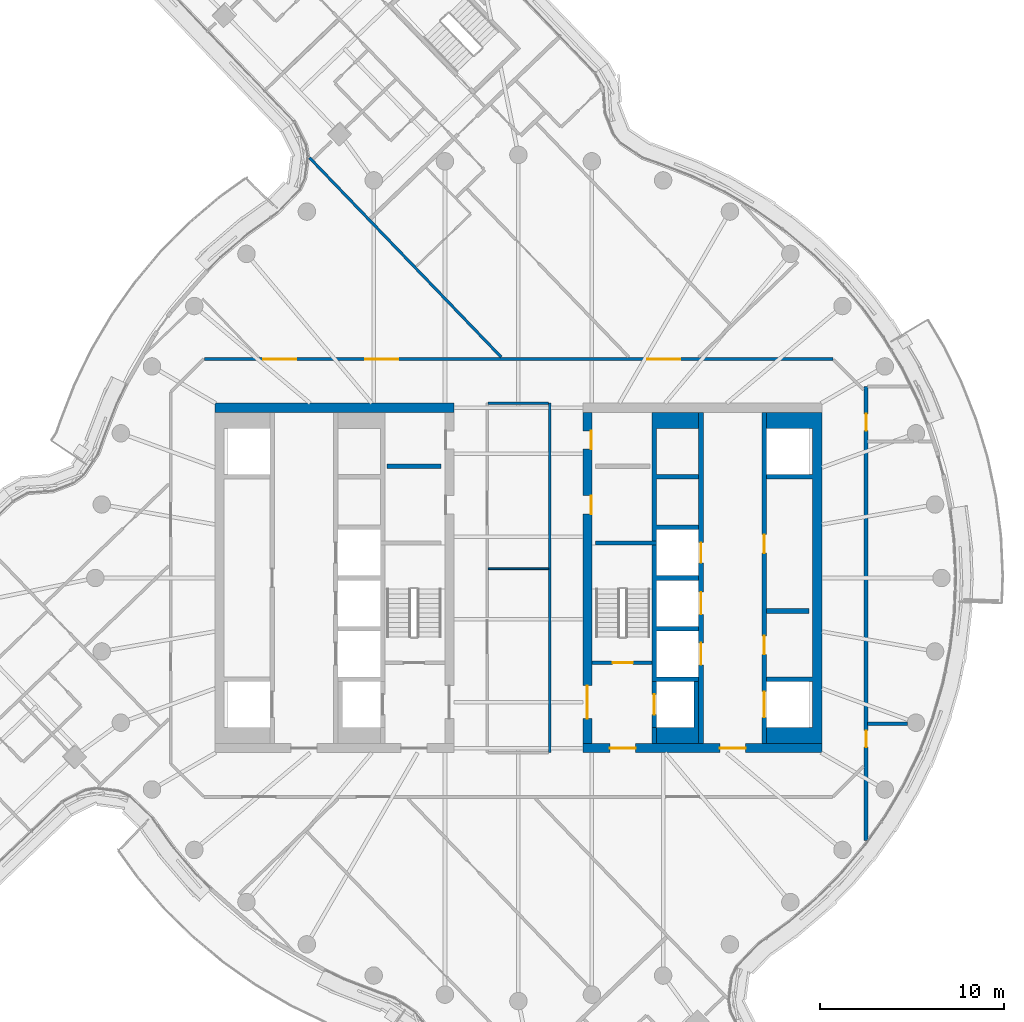
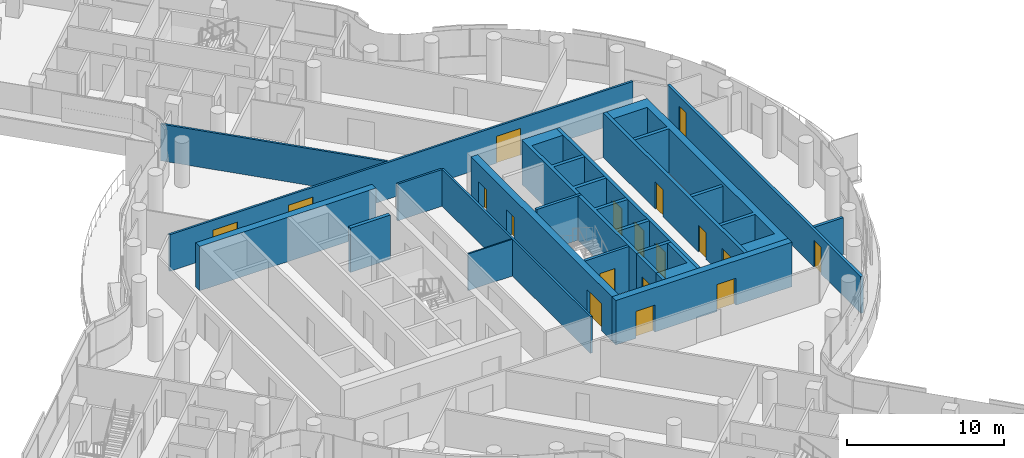
# One storey, part 23 of 34: 21 walls, 18 doors, 18 openings.
"""IFC4 building model written with IfcOpenShell, lengths in metres."""

from ifc_helpers import new_model, si_unit, direction, frame, frame_2d, origin, place, context, subcontext, project, spatial, polyline, rectangle, outline, extrude, material, layer, layer_set, type_object, element, fill, save


model = new_model("IFC4")

# Units and contexts
model_context = context("Model", 3, precision=1e-05, world=origin(), true_north=direction((0.0, 1.0)))
body_context = subcontext(model_context, "Body", "Model", "MODEL_VIEW")
ifc_project = project(units=[si_unit("LENGTHUNIT", "METRE"), si_unit("AREAUNIT", "SQUARE_METRE"), si_unit("VOLUMEUNIT", "CUBIC_METRE"), si_unit("PLANEANGLEUNIT", "RADIAN"), si_unit("MASSUNIT", "GRAM", prefix="KILO")], contexts=[model_context])

# Site, building, storey
site_placement = place(None, origin())
site = spatial("IfcSite", under=ifc_project, at=site_placement, CompositionType="ELEMENT")
building_placement = place(site_placement, origin())
building = spatial("IfcBuilding", under=site, at=building_placement, Name="Tamarind Cross Interchange Tower", CompositionType="ELEMENT")
storey_placement = place(building_placement, frame((0.0, 0.0, 193.300048828125)))
storey = spatial("IfcBuildingStorey", under=building, at=storey_placement, Name="L48", CompositionType="ELEMENT", Elevation=193.300048828125)

# Wall
ifc_material_1 = material(Name="Concrete C55", Category="concrete")
ifc_layer_1 = layer(ifc_material_1, 0.5)
ifc_layer_set_1 = layer_set([ifc_layer_1], Name="Concrete C55")
wall_type_1 = type_object("IfcWallType", Name="Core wall 500 mm Concrete C55", PredefinedType="SHEAR", material=ifc_layer_set_1)
wall_1_placement = place(storey_placement, frame((-16.5, 9.25, 0.0), z_axis=(0.0, 0.0, 1.0), x_axis=(1.0, 0.0, 0.0)))
element("IfcWall", 1, at=wall_1_placement, inside=storey, type_object=wall_type_1, Name="Core wall CWL-L48-W-NE", PredefinedType="SHEAR", context=body_context, shape_type="SweptSolid", body=[
    extrude(rectangle(XDim=13.0, YDim=0.5, at=frame_2d((6.5, 0.0))), origin(), (0.0, 0.0, 1.0), 3.4599609375),
])

# Wall, openings, doors
wall_2_placement = place(storey_placement, frame((16.5, -9.25, 0.0), z_axis=(0.0, 0.0, 1.0), x_axis=(-1.0, 0.0, 0.0)))
wall_2 = element("IfcWall", 2, at=wall_2_placement, inside=storey, type_object=wall_type_1, Name="Core wall CWL-L48-E-S", PredefinedType="SHEAR", context=body_context, shape_type="SweptSolid", body=[
    extrude(rectangle(XDim=13.0, YDim=0.5, at=frame_2d((6.5, 0.0))), origin(), (0.0, 0.0, 1.0), 3.4599609375),
])
opening_1_placement = place(wall_2_placement, frame((4.14990234375, 0.0, 0.0)))
opening_1 = element("IfcOpeningElement", 3, at=opening_1_placement, cuts=wall_2, Name="Opening DCE1", PredefinedType="OPENING", context=body_context, shape_type="SweptSolid", body=[
    extrude(rectangle(XDim=1.39990234375, YDim=2.10009765625, at=frame_2d((0.699951171875, 1.050048828125))), frame((0.0, 0.260009765625, 0.0), z_axis=(0.0, -1.0, 0.0), x_axis=(1.0, 0.0, 0.0)), (0.0, 0.0, 1.0), 0.52001953125),
])
opening_2_placement = place(wall_2_placement, frame((10.125, 0.0, 0.0)))
opening_2 = element("IfcOpeningElement", 4, at=opening_2_placement, cuts=wall_2, Name="Opening DCEF", PredefinedType="OPENING", context=body_context, shape_type="SweptSolid", body=[
    extrude(rectangle(XDim=1.39990234375, YDim=2.10009765625, at=frame_2d((0.699951171875, 1.050048828125))), frame((0.0, 0.260009765625, 0.0), z_axis=(0.0, -1.0, 0.0), x_axis=(1.0, 0.0, 0.0)), (0.0, 0.0, 1.0), 0.52001953125),
])
ifc_material_2 = material(Name="Steel, fire-resisting", Category="steel")
door_type_1 = type_object("IfcDoorType", Name="Core fire door 1400 x 2100 FD90", OperationType="SINGLE_SWING_LEFT", PredefinedType="DOOR", material=ifc_material_2)
door_1_placement = place(opening_1_placement, origin())
door_1 = element("IfcDoor", 5, at=door_1_placement, inside=storey, type_object=door_type_1, Name="L48 lift lobby door", OperationType="SINGLE_SWING_LEFT", OverallHeight=2.10009765625, OverallWidth=1.39990234375, PredefinedType="DOOR", context=body_context, shape_type="SweptSolid", body=[
    extrude(rectangle(XDim=1.39990234375, YDim=2.10009765625, at=frame_2d((0.699951171875, 1.050048828125))), frame((0.0, 0.02490234375, 0.0), z_axis=(0.0, -1.0, 0.0), x_axis=(1.0, 0.0, 0.0)), (0.0, 0.0, 1.0), 0.050048828125),
])
fill(opening_1, door_1)
door_2_placement = place(opening_2_placement, origin())
door_2 = element("IfcDoor", 6, at=door_2_placement, inside=storey, type_object=door_type_1, Name="L48 firefighting lobby end door", OperationType="SINGLE_SWING_LEFT", OverallHeight=2.10009765625, OverallWidth=1.39990234375, PredefinedType="DOOR", context=body_context, shape_type="SweptSolid", body=[
    extrude(rectangle(XDim=1.39990234375, YDim=2.10009765625, at=frame_2d((0.699951171875, 1.050048828125))), frame((0.0, 0.02490234375, 0.0), z_axis=(0.0, -1.0, 0.0), x_axis=(1.0, 0.0, 0.0)), (0.0, 0.0, 1.0), 0.050048828125),
])
fill(opening_2, door_2)

# Wall
wall_3_placement = place(storey_placement, origin())
element("IfcWall", 7, at=wall_3_placement, inside=storey, type_object=wall_type_1, Name="Core wall CWL-L48-E-A", PredefinedType="SHEAR", context=body_context, shape_type="SweptSolid", body=[
    extrude(outline(polyline([(13.5, -8.125), (13.5, -9.0), (16.0, -9.0), (16.5, -9.0), (16.5, 9.0), (16.0, 9.0), (13.5, 9.0), (13.5, 8.125), (16.0, 8.125), (16.0, 5.625), (13.5, 5.625), (13.5, 5.375), (16.0, 5.375), (16.0, -5.375), (13.5, -5.375), (13.5, -5.625), (16.0, -5.625), (16.0, -8.125), (13.5, -8.125)])), origin(), (0.0, 0.0, 1.0), 3.4599609375),
])

# Wall, openings, doors
wall_4_placement = place(storey_placement, frame((3.75, -9.0, 0.0), z_axis=(0.0, 0.0, 1.0), x_axis=(0.0, 1.0, 0.0)))
wall_4 = element("IfcWall", 8, at=wall_4_placement, inside=storey, type_object=wall_type_1, Name="Core wall CWL-L48-E-IN", PredefinedType="SHEAR", context=body_context, shape_type="SweptSolid", body=[
    extrude(rectangle(XDim=18.0, YDim=0.5, at=frame_2d((9.0, 0.0))), origin(), (0.0, 0.0, 1.0), 3.4599609375),
])
opening_3_placement = place(wall_4_placement, frame((1.35009765625, 0.0, 0.0)))
opening_3 = element("IfcOpeningElement", 9, at=opening_3_placement, cuts=wall_4, Name="Opening DCE4", PredefinedType="OPENING", context=body_context, shape_type="SweptSolid", body=[
    extrude(rectangle(XDim=1.800048828125, YDim=2.10009765625, at=frame_2d((0.89990234375, 1.050048828125))), frame((0.0, 0.260009765625, 0.0), z_axis=(0.0, -1.0, 0.0), x_axis=(1.0, 0.0, 0.0)), (0.0, 0.0, 1.0), 0.52001953125),
])
opening_4_placement = place(wall_4_placement, frame((12.4775390625, 0.0, 0.0)))
opening_4 = element("IfcOpeningElement", 10, at=opening_4_placement, cuts=wall_4, Name="Opening DCE5", PredefinedType="OPENING", context=body_context, shape_type="SweptSolid", body=[
    extrude(rectangle(XDim=1.0, YDim=2.10009765625, at=frame_2d((0.5, 1.050048828125))), frame((0.0, 0.260009765625, 0.0), z_axis=(0.0, -1.0, 0.0), x_axis=(1.0, 0.0, 0.0)), (0.0, 0.0, 1.0), 0.52001953125),
])
opening_5_placement = place(wall_4_placement, frame((16.00244140625, 0.0, 0.0)))
opening_5 = element("IfcOpeningElement", 11, at=opening_5_placement, cuts=wall_4, Name="Opening DCE5", PredefinedType="OPENING", context=body_context, shape_type="SweptSolid", body=[
    extrude(rectangle(XDim=1.0, YDim=2.10009765625, at=frame_2d((0.5, 1.050048828125))), frame((0.0, 0.260009765625, 0.0), z_axis=(0.0, -1.0, 0.0), x_axis=(1.0, 0.0, 0.0)), (0.0, 0.0, 1.0), 0.52001953125),
])
door_type_2 = type_object("IfcDoorType", Name="Core fire door 1000 x 2100 FD90", OperationType="SINGLE_SWING_LEFT", PredefinedType="DOOR", material=ifc_material_2)
door_3_placement = place(opening_4_placement, origin())
door_3 = element("IfcDoor", 12, at=door_3_placement, inside=storey, type_object=door_type_2, Name="L48 housekeeping pantry door", OperationType="SINGLE_SWING_LEFT", OverallHeight=2.10009765625, OverallWidth=1.0, PredefinedType="DOOR", context=body_context, shape_type="SweptSolid", body=[
    extrude(rectangle(XDim=1.0, YDim=2.10009765625, at=frame_2d((0.5, 1.050048828125))), frame((0.0, -0.1748046875, 0.0), z_axis=(0.0, -1.0, 0.0), x_axis=(1.0, 0.0, 0.0)), (0.0, 0.0, 1.0), 0.050048828125),
])
fill(opening_4, door_3)
door_4_placement = place(opening_5_placement, origin())
door_4 = element("IfcDoor", 13, at=door_4_placement, inside=storey, type_object=door_type_2, Name="L48 linen press door", OperationType="SINGLE_SWING_LEFT", OverallHeight=2.10009765625, OverallWidth=1.0, PredefinedType="DOOR", context=body_context, shape_type="SweptSolid", body=[
    extrude(rectangle(XDim=1.0, YDim=2.10009765625, at=frame_2d((0.5, 1.050048828125))), frame((0.0, -0.1748046875, 0.0), z_axis=(0.0, -1.0, 0.0), x_axis=(1.0, 0.0, 0.0)), (0.0, 0.0, 1.0), 0.050048828125),
])
fill(opening_5, door_4)
door_type_3 = type_object("IfcDoorType", Name="Core fire door 1800 x 2100 FD90", OperationType="SINGLE_SWING_LEFT", PredefinedType="DOOR", material=ifc_material_2)
door_5_placement = place(opening_3_placement, origin())
door_5 = element("IfcDoor", 14, at=door_5_placement, inside=storey, type_object=door_type_3, Name="L48 firefighting lobby door", OperationType="SINGLE_SWING_LEFT", OverallHeight=2.10009765625, OverallWidth=1.800048828125, PredefinedType="DOOR", context=body_context, shape_type="SweptSolid", body=[
    extrude(rectangle(XDim=1.800048828125, YDim=2.10009765625, at=frame_2d((0.89990234375, 1.050048828125))), frame((0.0, 0.02490234375, 0.0), z_axis=(0.0, -1.0, 0.0), x_axis=(1.0, 0.0, 0.0)), (0.0, 0.0, 1.0), 0.050048828125),
])
fill(opening_3, door_5)

# Walls
ifc_layer_2 = layer(ifc_material_1, 0.199951171875)
ifc_layer_set_2 = layer_set([ifc_layer_2], Name="Concrete C55")
wall_type_2 = type_object("IfcWallType", Name="Core web wall 200 mm Concrete C55", PredefinedType="SHEAR", material=ifc_layer_set_2)
wall_5_placement = place(storey_placement, frame((7.5, 1.89990234375, 0.0), z_axis=(0.0, 0.0, 1.0), x_axis=(-1.0, 0.0, 0.0)))
element("IfcWall", 15, at=wall_5_placement, inside=storey, type_object=wall_type_2, Name="Core wall CWL-L48-E-BD", PredefinedType="SHEAR", context=body_context, shape_type="SweptSolid", body=[
    extrude(rectangle(XDim=3.300048828125, YDim=0.199951171875, at=frame_2d((1.64990234375, 0.0))), origin(), (0.0, 0.0, 1.0), 3.4599609375),
])
ifc_layer_3 = layer(ifc_material_1, 0.25)
ifc_layer_set_3 = layer_set([ifc_layer_3], Name="Concrete C55")
wall_type_3 = type_object("IfcWallType", Name="Core web wall 250 mm Concrete C55", PredefinedType="SHEAR", material=ifc_layer_set_3)
wall_6_placement = place(storey_placement, origin())
element("IfcWall", 16, at=wall_6_placement, inside=storey, type_object=wall_type_3, Name="Core wall CWL-L48-E-BN", PredefinedType="SHEAR", context=body_context, shape_type="SweptSolid", body=[
    extrude(outline(polyline([(9.800048828125, -5.375), (7.5, -5.375), (7.5, -2.875), (9.800048828125, -2.875), (9.800048828125, -2.625), (7.5, -2.625), (7.5, -0.125), (9.800048828125, -0.125), (9.800048828125, 0.125), (7.5, 0.125), (7.5, 2.625), (9.800048828125, 2.625), (9.800048828125, 2.875), (7.5, 2.875), (7.5, 5.375), (9.800048828125, 5.375), (9.800048828125, 5.625), (7.5, 5.625), (7.5, 8.125), (9.800048828125, 8.125), (9.800048828125, 9.0), (7.5, 9.0), (7.25, 9.0), (7.25, -5.625), (7.5, -5.625), (9.800048828125, -5.625), (9.800048828125, -5.375)])), origin(), (0.0, 0.0, 1.0), 3.4599609375),
])
wall_7_placement = place(storey_placement, origin())
element("IfcWall", 17, at=wall_7_placement, inside=storey, type_object=wall_type_3, Name="Core wall CWL-L48-E-BS", PredefinedType="SHEAR", context=body_context, shape_type="SweptSolid", body=[
    extrude(outline(polyline([(7.5, -8.125), (7.5, -9.0), (9.800048828125, -9.0), (9.800048828125, -8.125), (9.800048828125, -5.625), (9.550048828125, -5.625), (9.550048828125, -8.125), (7.5, -8.125)])), origin(), (0.0, 0.0, 1.0), 3.4599609375),
])
wall_8_placement = place(storey_placement, frame((7.375, -9.0, 0.0), z_axis=(0.0, 0.0, 1.0), x_axis=(0.0, 1.0, 0.0)))
element("IfcWall", 18, at=wall_8_placement, inside=storey, type_object=wall_type_3, Name="Core wall CWL-L48-E-BW", PredefinedType="SHEAR", context=body_context, shape_type="SweptSolid", body=[
    extrude(rectangle(XDim=0.875, YDim=0.25, at=frame_2d((0.4375, 0.0))), origin(), (0.0, 0.0, 1.0), 3.4599609375),
])

# Wall, openings, doors
wall_9_placement = place(storey_placement, frame((13.375, -9.0, 0.0), z_axis=(0.0, 0.0, 1.0), x_axis=(0.0, 1.0, 0.0)))
wall_9 = element("IfcWall", 19, at=wall_9_placement, inside=storey, type_object=wall_type_3, Name="Core wall CWL-L48-E-LA", PredefinedType="SHEAR", context=body_context, shape_type="SweptSolid", body=[
    extrude(rectangle(XDim=18.0, YDim=0.25, at=frame_2d((9.0, 0.0))), origin(), (0.0, 0.0, 1.0), 3.4599609375),
])
opening_6_placement = place(wall_9_placement, frame((1.425048828125, 0.0, 0.0)))
opening_6 = element("IfcOpeningElement", 20, at=opening_6_placement, cuts=wall_9, Name="Opening LD13L48", PredefinedType="OPENING", context=body_context, shape_type="SweptSolid", body=[
    extrude(rectangle(XDim=1.39990234375, YDim=2.10009765625, at=frame_2d((0.699951171875, 1.050048828125))), frame((0.0, 0.135009765625, 0.0), z_axis=(0.0, -1.0, 0.0), x_axis=(1.0, 0.0, 0.0)), (0.0, 0.0, 1.0), 0.27001953125),
])
opening_7_placement = place(wall_9_placement, frame((4.85400390625, 0.0, 0.0)))
opening_7 = element("IfcOpeningElement", 21, at=opening_7_placement, cuts=wall_9, Name="Opening DCE9", PredefinedType="OPENING", context=body_context, shape_type="SweptSolid", body=[
    extrude(rectangle(XDim=1.0, YDim=2.10009765625, at=frame_2d((0.5, 1.050048828125))), frame((0.0, 0.135009765625, 0.0), z_axis=(0.0, -1.0, 0.0), x_axis=(1.0, 0.0, 0.0)), (0.0, 0.0, 1.0), 0.27001953125),
])
opening_8_placement = place(wall_9_placement, frame((10.35400390625, 0.0, 0.0)))
opening_8 = element("IfcOpeningElement", 22, at=opening_8_placement, cuts=wall_9, Name="Opening DCE10", PredefinedType="OPENING", context=body_context, shape_type="SweptSolid", body=[
    extrude(rectangle(XDim=1.0, YDim=2.10009765625, at=frame_2d((0.5, 1.050048828125))), frame((0.0, 0.135009765625, 0.0), z_axis=(0.0, -1.0, 0.0), x_axis=(1.0, 0.0, 0.0)), (0.0, 0.0, 1.0), 0.27001953125),
])
door_6_placement = place(opening_7_placement, origin())
door_6 = element("IfcDoor", 23, at=door_6_placement, inside=storey, type_object=door_type_2, Name="L48 Hotel pantry door", OperationType="SINGLE_SWING_LEFT", OverallHeight=2.10009765625, OverallWidth=1.0, PredefinedType="DOOR", context=body_context, shape_type="SweptSolid", body=[
    extrude(rectangle(XDim=1.0, YDim=2.10009765625, at=frame_2d((0.5, 1.050048828125))), frame((0.0, 0.02490234375, 0.0), z_axis=(0.0, -1.0, 0.0), x_axis=(1.0, 0.0, 0.0)), (0.0, 0.0, 1.0), 0.050048828125),
])
fill(opening_7, door_6)
door_7_placement = place(opening_8_placement, origin())
door_7 = element("IfcDoor", 24, at=door_7_placement, inside=storey, type_object=door_type_2, Name="L48 Staff changing room door", OperationType="SINGLE_SWING_LEFT", OverallHeight=2.10009765625, OverallWidth=1.0, PredefinedType="DOOR", context=body_context, shape_type="SweptSolid", body=[
    extrude(rectangle(XDim=1.0, YDim=2.10009765625, at=frame_2d((0.5, 1.050048828125))), frame((0.0, 0.02490234375, 0.0), z_axis=(0.0, -1.0, 0.0), x_axis=(1.0, 0.0, 0.0)), (0.0, 0.0, 1.0), 0.050048828125),
])
fill(opening_8, door_7)
ifc_material_3 = material(Name="Stainless steel panel", Category="steel")
door_type_4 = type_object("IfcDoorType", Name="Lift landing door 1400 x 2100 E 120", OperationType="SLIDING_TO_LEFT", PredefinedType="DOOR", material=ifc_material_3)
door_8_placement = place(opening_6_placement, origin())
door_8 = element("IfcDoor", 25, at=door_8_placement, inside=storey, type_object=door_type_4, Name="L48 landing door LF13", OperationType="SLIDING_TO_LEFT", OverallHeight=2.10009765625, OverallWidth=1.39990234375, PredefinedType="DOOR", context=body_context, shape_type="SweptSolid", body=[
    extrude(rectangle(XDim=1.39990234375, YDim=2.10009765625, at=frame_2d((0.699951171875, 1.050048828125))), frame((0.0, 0.02490234375, 0.0), z_axis=(0.0, -1.0, 0.0), x_axis=(1.0, 0.0, 0.0)), (0.0, 0.0, 1.0), 0.050048828125),
])
fill(opening_6, door_8)

wall_10_placement = place(storey_placement, frame((9.925048828125, -9.0, 0.0), z_axis=(0.0, 0.0, 1.0), x_axis=(0.0, 1.0, 0.0)))
wall_10 = element("IfcWall", 26, at=wall_10_placement, inside=storey, type_object=wall_type_3, Name="Core wall CWL-L48-E-LB", PredefinedType="SHEAR", context=body_context, shape_type="SweptSolid", body=[
    extrude(rectangle(XDim=18.0, YDim=0.25, at=frame_2d((9.0, 0.0))), origin(), (0.0, 0.0, 1.0), 3.4599609375),
])
opening_9_placement = place(wall_10_placement, frame((4.27490234375, 0.0, 0.0)))
opening_9 = element("IfcOpeningElement", 27, at=opening_9_placement, cuts=wall_10, Name="Opening LD20L48", PredefinedType="OPENING", context=body_context, shape_type="SweptSolid", body=[
    extrude(rectangle(XDim=1.199951171875, YDim=2.10009765625, at=frame_2d((0.60009765625, 1.050048828125))), frame((0.0, 0.135009765625, 0.0), z_axis=(0.0, -1.0, 0.0), x_axis=(1.0, 0.0, 0.0)), (0.0, 0.0, 1.0), 0.27001953125),
])
opening_10_placement = place(wall_10_placement, frame((7.02490234375, 0.0, 0.0)))
opening_10 = element("IfcOpeningElement", 28, at=opening_10_placement, cuts=wall_10, Name="Opening LD21L48", PredefinedType="OPENING", context=body_context, shape_type="SweptSolid", body=[
    extrude(rectangle(XDim=1.199951171875, YDim=2.10009765625, at=frame_2d((0.60009765625, 1.050048828125))), frame((0.0, 0.135009765625, 0.0), z_axis=(0.0, -1.0, 0.0), x_axis=(1.0, 0.0, 0.0)), (0.0, 0.0, 1.0), 0.27001953125),
])
opening_11_placement = place(wall_10_placement, frame((9.824951171875, 0.0, 0.0)))
opening_11 = element("IfcOpeningElement", 29, at=opening_11_placement, cuts=wall_10, Name="Opening LD22L48", PredefinedType="OPENING", context=body_context, shape_type="SweptSolid", body=[
    extrude(rectangle(XDim=1.10009765625, YDim=2.10009765625, at=frame_2d((0.550048828125, 1.050048828125))), frame((0.0, 0.135009765625, 0.0), z_axis=(0.0, -1.0, 0.0), x_axis=(1.0, 0.0, 0.0)), (0.0, 0.0, 1.0), 0.27001953125),
])
door_type_5 = type_object("IfcDoorType", Name="Lift landing door 1100 x 2100 E 120", OperationType="SLIDING_TO_LEFT", PredefinedType="DOOR", material=ifc_material_3)
door_9_placement = place(opening_11_placement, origin())
door_9 = element("IfcDoor", 30, at=door_9_placement, inside=storey, type_object=door_type_5, Name="L48 landing door LF22", OperationType="SLIDING_TO_LEFT", OverallHeight=2.10009765625, OverallWidth=1.10009765625, PredefinedType="DOOR", context=body_context, shape_type="SweptSolid", body=[
    extrude(rectangle(XDim=1.10009765625, YDim=2.10009765625, at=frame_2d((0.550048828125, 1.050048828125))), frame((0.0, 0.02490234375, 0.0), z_axis=(0.0, -1.0, 0.0), x_axis=(1.0, 0.0, 0.0)), (0.0, 0.0, 1.0), 0.050048828125),
])
fill(opening_11, door_9)
door_type_6 = type_object("IfcDoorType", Name="Lift landing door 1200 x 2100 E 120", OperationType="SLIDING_TO_LEFT", PredefinedType="DOOR", material=ifc_material_3)
door_10_placement = place(opening_9_placement, origin())
door_10 = element("IfcDoor", 31, at=door_10_placement, inside=storey, type_object=door_type_6, Name="L48 landing door LF20", OperationType="SLIDING_TO_LEFT", OverallHeight=2.10009765625, OverallWidth=1.199951171875, PredefinedType="DOOR", context=body_context, shape_type="SweptSolid", body=[
    extrude(rectangle(XDim=1.199951171875, YDim=2.10009765625, at=frame_2d((0.60009765625, 1.050048828125))), frame((0.0, 0.02490234375, 0.0), z_axis=(0.0, -1.0, 0.0), x_axis=(1.0, 0.0, 0.0)), (0.0, 0.0, 1.0), 0.050048828125),
])
fill(opening_9, door_10)
door_11_placement = place(opening_10_placement, origin())
door_11 = element("IfcDoor", 32, at=door_11_placement, inside=storey, type_object=door_type_6, Name="L48 landing door LF21", OperationType="SLIDING_TO_LEFT", OverallHeight=2.10009765625, OverallWidth=1.199951171875, PredefinedType="DOOR", context=body_context, shape_type="SweptSolid", body=[
    extrude(rectangle(XDim=1.199951171875, YDim=2.10009765625, at=frame_2d((0.60009765625, 1.050048828125))), frame((0.0, 0.02490234375, 0.0), z_axis=(0.0, -1.0, 0.0), x_axis=(1.0, 0.0, 0.0)), (0.0, 0.0, 1.0), 0.050048828125),
])
fill(opening_10, door_11)

# Wall, opening, door
wall_11_placement = place(storey_placement, frame((7.375, -8.125, 0.0), z_axis=(0.0, 0.0, 1.0), x_axis=(0.0, 1.0, 0.0)))
wall_11 = element("IfcWall", 33, at=wall_11_placement, inside=storey, type_object=wall_type_3, Name="Core wall CWL-L48-E-FF", PredefinedType="SHEAR", context=body_context, shape_type="SweptSolid", body=[
    extrude(rectangle(XDim=2.5, YDim=0.25, at=frame_2d((1.25, 0.0))), origin(), (0.0, 0.0, 1.0), 3.4599609375),
])
opening_12_placement = place(wall_11_placement, frame((0.699951171875, 0.0, 0.0)))
opening_12 = element("IfcOpeningElement", 34, at=opening_12_placement, cuts=wall_11, Name="Opening LD19L48", PredefinedType="OPENING", context=body_context, shape_type="SweptSolid", body=[
    extrude(rectangle(XDim=1.10009765625, YDim=2.10009765625, at=frame_2d((0.550048828125, 1.050048828125))), frame((0.0, 0.135009765625, 0.0), z_axis=(0.0, -1.0, 0.0), x_axis=(1.0, 0.0, 0.0)), (0.0, 0.0, 1.0), 0.27001953125),
])
door_12_placement = place(opening_12_placement, origin())
door_12 = element("IfcDoor", 35, at=door_12_placement, inside=storey, type_object=door_type_5, Name="L48 landing door LF19", OperationType="SLIDING_TO_LEFT", OverallHeight=2.10009765625, OverallWidth=1.10009765625, PredefinedType="DOOR", context=body_context, shape_type="SweptSolid", body=[
    extrude(rectangle(XDim=1.10009765625, YDim=2.10009765625, at=frame_2d((0.550048828125, 1.050048828125))), frame((0.0, 0.02490234375, 0.0), z_axis=(0.0, -1.0, 0.0), x_axis=(1.0, 0.0, 0.0)), (0.0, 0.0, 1.0), 0.050048828125),
])
fill(opening_12, door_12)

# Walls
ifc_material_4 = material(Name="Gypsum board partition on steel studs", Category="steel")
ifc_layer_4 = layer(ifc_material_4, 0.10009765625)
ifc_layer_set_4 = layer_set([ifc_layer_4], Name="Gypsum board partition on steel studs")
wall_type_4 = type_object("IfcWallType", Name="Partition 100 mm EI 120", PredefinedType="PARTITIONING", material=ifc_layer_set_4)
wall_12_placement = place(storey_placement, frame((-1.639892578125, 0.5, 0.0), z_axis=(0.0, 0.0, 1.0), x_axis=(1.0, 0.0, 0.0)))
element("IfcWall", 36, at=wall_12_placement, inside=storey, type_object=wall_type_4, Name="Partition L48-046", PredefinedType="PARTITIONING", context=body_context, shape_type="SweptSolid", body=[
    extrude(rectangle(XDim=3.27978515625, YDim=0.10009765625, at=frame_2d((1.639892578125, 0.0))), origin(), (0.0, 0.0, 1.0), 2.864013671875),
])
ifc_layer_5 = layer(ifc_material_4, 0.14990234375)
ifc_layer_set_5 = layer_set([ifc_layer_5], Name="Gypsum board partition on steel studs")
wall_type_5 = type_object("IfcWallType", Name="Partition 150 mm EI 120", PredefinedType="PARTITIONING", material=ifc_layer_set_5)
wall_13_placement = place(storey_placement, frame((-11.3583984375, 22.846435546875, 0.0), z_axis=(0.0, 0.0, 1.0), x_axis=(0.69317166013, -0.720772536652, 0.0)))
element("IfcWall", 37, at=wall_13_placement, inside=storey, type_object=wall_type_5, Name="Partition L48-024", PredefinedType="PARTITIONING", context=body_context, shape_type="SweptSolid", body=[
    extrude(rectangle(XDim=15.037109375, YDim=0.14990234375, at=frame_2d((7.5185546875, 0.0))), origin(), (0.0, 0.0, 1.0), 2.864013671875),
])

# Wall, openings, doors
wall_14_placement = place(storey_placement, frame((-17.06494140625, 11.89990234375, 0.0), z_axis=(0.0, 0.0, 1.0), x_axis=(1.0, 0.0, 0.0)))
wall_14 = element("IfcWall", 38, at=wall_14_placement, inside=storey, type_object=wall_type_5, Name="Partition L48-044", PredefinedType="PARTITIONING", context=body_context, shape_type="SweptSolid", body=[
    extrude(rectangle(XDim=34.1650390625, YDim=0.14990234375, at=frame_2d((17.08251953125, 0.0))), origin(), (0.0, 0.0, 1.0), 2.864013671875),
])
opening_13_placement = place(wall_14_placement, frame((24.071044921875, 0.0, 0.0)))
opening_13 = element("IfcOpeningElement", 39, at=opening_13_placement, cuts=wall_14, Name="Opening D26", PredefinedType="OPENING", context=body_context, shape_type="SweptSolid", body=[
    extrude(rectangle(XDim=1.800048828125, YDim=2.10009765625, at=frame_2d((0.89990234375, 1.050048828125))), frame((0.0, 0.0849609375, 0.0), z_axis=(0.0, -1.0, 0.0), x_axis=(1.0, 0.0, 0.0)), (0.0, 0.0, 1.0), 0.169921875),
])
opening_14_placement = place(wall_14_placement, frame((8.743896484375, 0.0, 0.0)))
opening_14 = element("IfcOpeningElement", 40, at=opening_14_placement, cuts=wall_14, Name="Opening D27", PredefinedType="OPENING", context=body_context, shape_type="SweptSolid", body=[
    extrude(rectangle(XDim=1.800048828125, YDim=2.10009765625, at=frame_2d((0.89990234375, 1.050048828125))), frame((0.0, 0.0849609375, 0.0), z_axis=(0.0, -1.0, 0.0), x_axis=(1.0, 0.0, 0.0)), (0.0, 0.0, 1.0), 0.169921875),
])
opening_15_placement = place(wall_14_placement, frame((3.194091796875, 0.0, 0.0)))
opening_15 = element("IfcOpeningElement", 41, at=opening_15_placement, cuts=wall_14, Name="Opening D28", PredefinedType="OPENING", context=body_context, shape_type="SweptSolid", body=[
    extrude(rectangle(XDim=1.800048828125, YDim=2.10009765625, at=frame_2d((0.89990234375, 1.050048828125))), frame((0.0, 0.0849609375, 0.0), z_axis=(0.0, -1.0, 0.0), x_axis=(1.0, 0.0, 0.0)), (0.0, 0.0, 1.0), 0.169921875),
])
ifc_material_5 = material(Name="Fire-resisting door set")
door_type_7 = type_object("IfcDoorType", Name="Interior door 1800 x 2100 FD60S", OperationType="DOUBLE_DOOR_SINGLE_SWING", PredefinedType="DOOR", material=ifc_material_5)
door_13_placement = place(opening_13_placement, frame((1.800048828125, 0.0, 0.0), z_axis=(0.0, 0.0, 1.0), x_axis=(-1.0, 0.0, 0.0)))
door_13 = element("IfcDoor", 42, at=door_13_placement, inside=storey, type_object=door_type_7, Name="Door D26", OperationType="DOUBLE_DOOR_SINGLE_SWING", OverallHeight=2.10009765625, OverallWidth=1.800048828125, PredefinedType="DOOR", context=body_context, shape_type="SweptSolid", body=[
    extrude(rectangle(XDim=1.800048828125, YDim=2.10009765625, at=frame_2d((0.89990234375, 1.050048828125))), frame((0.0, 0.02490234375, 0.0), z_axis=(0.0, -1.0, 0.0), x_axis=(1.0, 0.0, 0.0)), (0.0, 0.0, 1.0), 0.050048828125),
])
fill(opening_13, door_13)
door_14_placement = place(opening_14_placement, origin())
door_14 = element("IfcDoor", 43, at=door_14_placement, inside=storey, type_object=door_type_7, Name="Door D27", OperationType="DOUBLE_DOOR_SINGLE_SWING", OverallHeight=2.10009765625, OverallWidth=1.800048828125, PredefinedType="DOOR", context=body_context, shape_type="SweptSolid", body=[
    extrude(rectangle(XDim=1.800048828125, YDim=2.10009765625, at=frame_2d((0.89990234375, 1.050048828125))), frame((0.0, 0.02490234375, 0.0), z_axis=(0.0, -1.0, 0.0), x_axis=(1.0, 0.0, 0.0)), (0.0, 0.0, 1.0), 0.050048828125),
])
fill(opening_14, door_14)
door_15_placement = place(opening_15_placement, origin())
door_15 = element("IfcDoor", 44, at=door_15_placement, inside=storey, type_object=door_type_7, Name="Door D28", OperationType="DOUBLE_DOOR_SINGLE_SWING", OverallHeight=2.10009765625, OverallWidth=1.800048828125, PredefinedType="DOOR", context=body_context, shape_type="SweptSolid", body=[
    extrude(rectangle(XDim=1.800048828125, YDim=2.10009765625, at=frame_2d((0.89990234375, 1.050048828125))), frame((0.0, 0.02490234375, 0.0), z_axis=(0.0, -1.0, 0.0), x_axis=(1.0, 0.0, 0.0)), (0.0, 0.0, 1.0), 0.050048828125),
])
fill(opening_15, door_15)

# Walls
wall_15_placement = place(storey_placement, frame((-1.639892578125, 9.5, 0.0), z_axis=(0.0, 0.0, 1.0), x_axis=(1.0, 0.0, 0.0)))
element("IfcWall", 45, at=wall_15_placement, inside=storey, type_object=wall_type_5, Name="Partition L48-047", PredefinedType="PARTITIONING", context=body_context, shape_type="SweptSolid", body=[
    extrude(rectangle(XDim=3.27978515625, YDim=0.14990234375, at=frame_2d((1.639892578125, 0.0))), origin(), (0.0, 0.0, 1.0), 2.864013671875),
])
wall_16_placement = place(storey_placement, frame((1.699951171875, -9.5, 0.0), z_axis=(0.0, 0.0, 1.0), x_axis=(0.0, 1.0, 0.0)))
element("IfcWall", 46, at=wall_16_placement, inside=storey, type_object=wall_type_5, Name="Partition L48-094", PredefinedType="PARTITIONING", context=body_context, shape_type="SweptSolid", body=[
    extrude(rectangle(XDim=19.0, YDim=0.14990234375, at=frame_2d((9.5, 0.0))), origin(), (0.0, 0.0, 1.0), 2.864013671875),
])
ifc_layer_6 = layer(ifc_material_4, 0.199951171875)
ifc_layer_set_6 = layer_set([ifc_layer_6], Name="Gypsum board partition on steel studs")
wall_type_6 = type_object("IfcWallType", Name="Partition 200 mm EI 180", PredefinedType="PARTITIONING", material=ifc_layer_set_6)
wall_17_placement = place(storey_placement, frame((18.985107421875, -7.926025390625, 0.0), z_axis=(0.0, 0.0, 1.0), x_axis=(1.0, 0.0, 0.0)))
element("IfcWall", 47, at=wall_17_placement, inside=storey, type_object=wall_type_6, Name="Partition L48-048", PredefinedType="PARTITIONING", context=body_context, shape_type="SweptSolid", body=[
    extrude(rectangle(XDim=2.15869140625, YDim=0.199951171875, at=frame_2d((1.079345703125, 0.0))), origin(), (0.0, 0.0, 1.0), 2.864013671875),
])

# Wall, openings, doors
wall_18_placement = place(storey_placement, frame((18.89990234375, -14.277099609375, 0.0), z_axis=(0.0, 0.0, 1.0), x_axis=(0.0, 1.0, 0.0)))
wall_18 = element("IfcWall", 48, at=wall_18_placement, inside=storey, type_object=wall_type_6, Name="Partition L48-095", PredefinedType="PARTITIONING", context=body_context, shape_type="SweptSolid", body=[
    extrude(rectangle(XDim=24.693115234375, YDim=0.199951171875, at=frame_2d((12.3466796875, 0.0))), origin(), (0.0, 0.0, 1.0), 2.864013671875),
])
opening_16_placement = place(wall_18_placement, frame((5.0771484375, 0.0, 0.0)))
opening_16 = element("IfcOpeningElement", 49, at=opening_16_placement, cuts=wall_18, Name="Opening D53", PredefinedType="OPENING", context=body_context, shape_type="SweptSolid", body=[
    extrude(rectangle(XDim=0.89990234375, YDim=2.10009765625, at=frame_2d((0.449951171875, 1.050048828125))), frame((0.0, 0.10986328125, 0.0), z_axis=(0.0, -1.0, 0.0), x_axis=(1.0, 0.0, 0.0)), (0.0, 0.0, 1.0), 0.219970703125),
])
opening_17_placement = place(wall_18_placement, frame((22.293212890625, 0.0, 0.0)))
opening_17 = element("IfcOpeningElement", 50, at=opening_17_placement, cuts=wall_18, Name="Opening D54", PredefinedType="OPENING", context=body_context, shape_type="SweptSolid", body=[
    extrude(rectangle(XDim=0.89990234375, YDim=2.10009765625, at=frame_2d((0.449951171875, 1.050048828125))), frame((0.0, 0.10986328125, 0.0), z_axis=(0.0, -1.0, 0.0), x_axis=(1.0, 0.0, 0.0)), (0.0, 0.0, 1.0), 0.219970703125),
])
door_type_8 = type_object("IfcDoorType", Name="Interior door 900 x 2100 FD120S", OperationType="SINGLE_SWING_LEFT", PredefinedType="DOOR", material=ifc_material_5)
door_16_placement = place(opening_16_placement, frame((0.89990234375, 0.0, 0.0), z_axis=(0.0, 0.0, 1.0), x_axis=(-1.0, 0.0, 0.0)))
door_16 = element("IfcDoor", 51, at=door_16_placement, inside=storey, type_object=door_type_8, Name="Door D53", OperationType="SINGLE_SWING_LEFT", OverallHeight=2.10009765625, OverallWidth=0.89990234375, PredefinedType="DOOR", context=body_context, shape_type="SweptSolid", body=[
    extrude(rectangle(XDim=0.89990234375, YDim=2.10009765625, at=frame_2d((0.449951171875, 1.050048828125))), frame((0.0, 0.02490234375, 0.0), z_axis=(0.0, -1.0, 0.0), x_axis=(1.0, 0.0, 0.0)), (0.0, 0.0, 1.0), 0.050048828125),
])
fill(opening_16, door_16)
door_17_placement = place(opening_17_placement, frame((0.89990234375, 0.0, 0.0), z_axis=(0.0, 0.0, 1.0), x_axis=(-1.0, 0.0, 0.0)))
door_17 = element("IfcDoor", 52, at=door_17_placement, inside=storey, type_object=door_type_8, Name="Door D54", OperationType="SINGLE_SWING_RIGHT", OverallHeight=2.10009765625, OverallWidth=0.89990234375, PredefinedType="DOOR", context=body_context, shape_type="SweptSolid", body=[
    extrude(rectangle(XDim=0.89990234375, YDim=2.10009765625, at=frame_2d((0.449951171875, 1.050048828125))), frame((0.0, 0.02490234375, 0.0), z_axis=(0.0, -1.0, 0.0), x_axis=(1.0, 0.0, 0.0)), (0.0, 0.0, 1.0), 0.050048828125),
])
fill(opening_17, door_17)

# Walls
ifc_material_6 = material(Name="Concrete C40", Category="concrete")
ifc_layer_7 = layer(ifc_material_6, 0.25)
ifc_layer_set_7 = layer_set([ifc_layer_7], Name="Concrete C40")
wall_type_7 = type_object("IfcWallType", Name="Shaft and lobby wall 250 mm Concrete C40", PredefinedType="PARTITIONING", material=ifc_layer_set_7)
wall_19_placement = place(storey_placement, frame((-7.14990234375, 6.080078125, 0.0), z_axis=(0.0, 0.0, 1.0), x_axis=(1.0, 0.0, 0.0)))
element("IfcWall", 53, at=wall_19_placement, inside=storey, type_object=wall_type_7, Name="Shaft wall CWL-L48-W-SVP", PredefinedType="PARTITIONING", context=body_context, shape_type="SweptSolid", body=[
    extrude(rectangle(XDim=2.949951171875, YDim=0.25, at=frame_2d((1.47509765625, 0.0))), origin(), (0.0, 0.0, 1.0), 3.4599609375),
])
wall_20_placement = place(storey_placement, frame((15.800048828125, -1.7919921875, 0.0), z_axis=(0.0, 0.0, 1.0), x_axis=(-1.0, 0.0, 0.0)))
element("IfcWall", 54, at=wall_20_placement, inside=storey, type_object=wall_type_7, Name="Shaft wall CWL-L48-E-FPA1", PredefinedType="PARTITIONING", context=body_context, shape_type="SweptSolid", body=[
    extrude(rectangle(XDim=2.300048828125, YDim=0.25, at=frame_2d((1.14990234375, 0.0))), origin(), (0.0, 0.0, 1.0), 3.4599609375),
])

# Wall, opening, door
ifc_layer_8 = layer(ifc_material_6, 0.199951171875)
ifc_layer_set_8 = layer_set([ifc_layer_8], Name="Concrete C40")
wall_type_8 = type_object("IfcWallType", Name="Stair shaft wall 200 mm Concrete C40", PredefinedType="SHEAR", material=ifc_layer_set_8)
wall_21_placement = place(storey_placement, frame((7.25, -4.60009765625, 0.0), z_axis=(0.0, 0.0, 1.0), x_axis=(-1.0, 0.0, 0.0)))
wall_21 = element("IfcWall", 55, at=wall_21_placement, inside=storey, type_object=wall_type_8, Name="Core wall CWL-L48-E-SD", PredefinedType="SHEAR", context=body_context, shape_type="SweptSolid", body=[
    extrude(rectangle(XDim=3.25, YDim=0.199951171875, at=frame_2d((1.625, 0.0))), origin(), (0.0, 0.0, 1.0), 3.4599609375),
])
opening_18_placement = place(wall_21_placement, frame((1.02490234375, 0.0, 0.0)))
opening_18 = element("IfcOpeningElement", 56, at=opening_18_placement, cuts=wall_21, Name="Opening DCE6", PredefinedType="OPENING", context=body_context, shape_type="SweptSolid", body=[
    extrude(rectangle(XDim=1.10009765625, YDim=2.10009765625, at=frame_2d((0.550048828125, 1.050048828125))), frame((0.0, 0.10986328125, 0.0), z_axis=(0.0, -1.0, 0.0), x_axis=(1.0, 0.0, 0.0)), (0.0, 0.0, 1.0), 0.219970703125),
])
door_type_9 = type_object("IfcDoorType", Name="Core fire door 1100 x 2100 FD90", OperationType="SINGLE_SWING_LEFT", PredefinedType="DOOR", material=ifc_material_2)
door_18_placement = place(opening_18_placement, origin())
door_18 = element("IfcDoor", 57, at=door_18_placement, inside=storey, type_object=door_type_9, Name="L48 stair door", OperationType="SINGLE_SWING_LEFT", OverallHeight=2.10009765625, OverallWidth=1.10009765625, PredefinedType="DOOR", context=body_context, shape_type="SweptSolid", body=[
    extrude(rectangle(XDim=1.10009765625, YDim=2.10009765625, at=frame_2d((0.550048828125, 1.050048828125))), frame((0.0, 0.02490234375, 0.0), z_axis=(0.0, -1.0, 0.0), x_axis=(1.0, 0.0, 0.0)), (0.0, 0.0, 1.0), 0.050048828125),
])
fill(opening_18, door_18)

save(model, "model.ifc")
